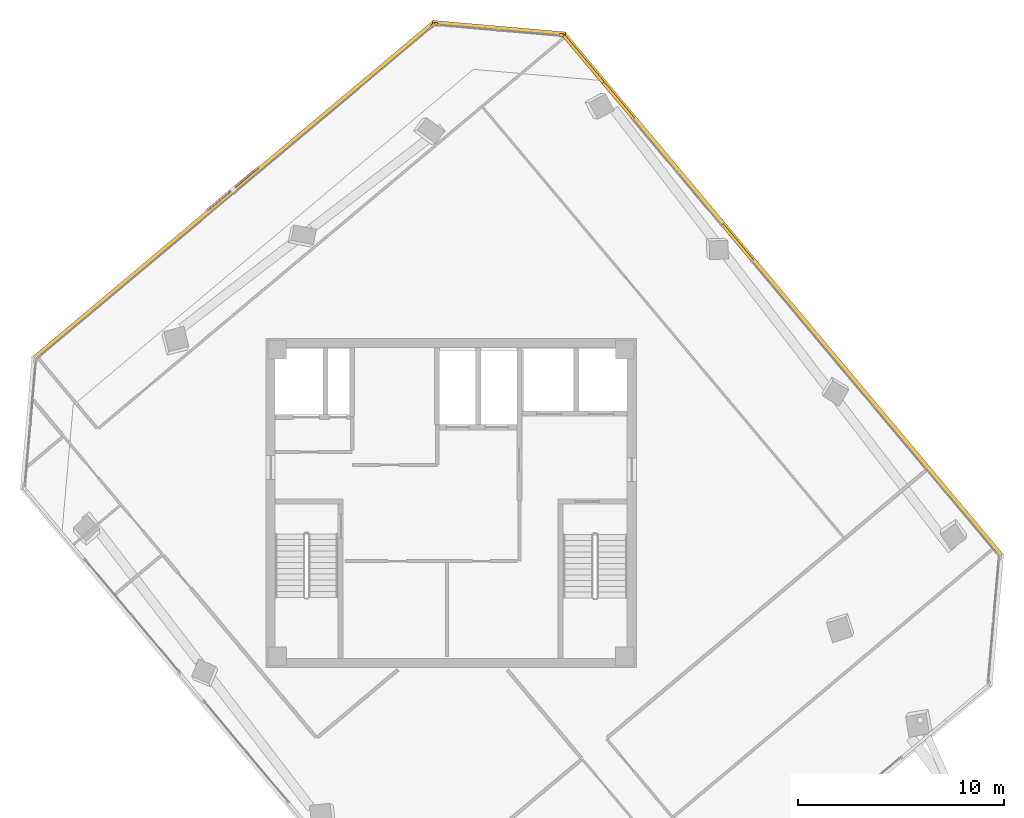
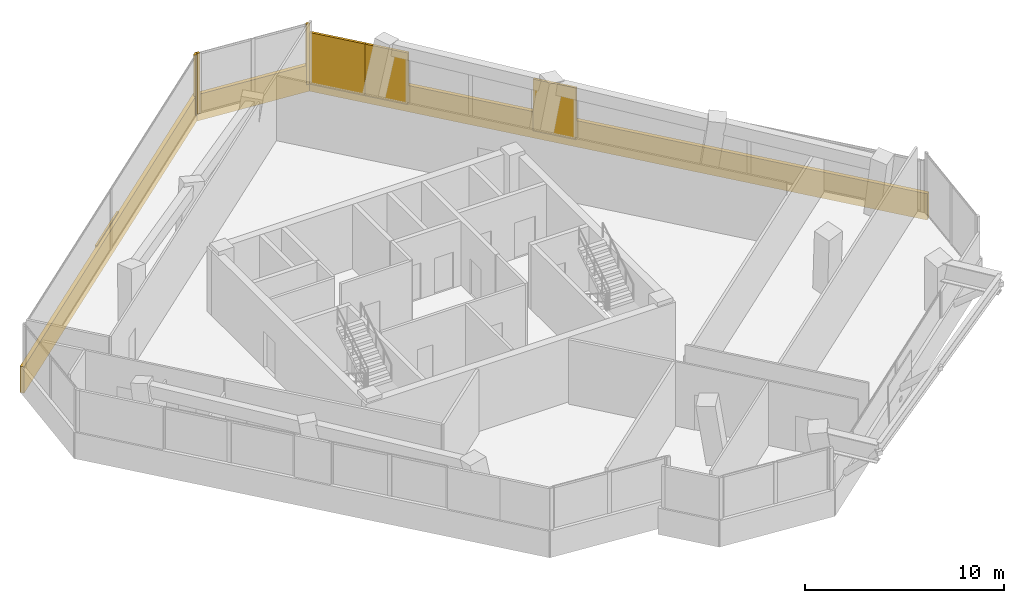
# One storey, part 17 of 17: 9 coverings, 1 shading device.
"""IFC4 building model written with IfcOpenShell, lengths in metres."""

import ifcopenshell
import ifcopenshell.guid

model = None  # the IFC model being written
_history = None  # IfcOwnerHistory: only IFC2X3 demands one
_inside = {}  # id of a spatial element -> (the spatial element, [elements in it])
_under = {}  # id of a project, library or spatial element -> (it, [spatial elements below it])
_declared = {}  # id of a project -> (the project, [libraries it declares])
_typed = {}  # id of a type object -> (the type object, [elements of that type])
_made_of = {}  # id of a material, layer set ... -> (it, [elements and type objects made of it])


def new_model(schema):
    """Start an empty IFC model of exactly this schema.

    Asked for "IFC4X3", IfcOpenShell would pick the latest addendum, in which some entities
    have other attributes; the version numbers below select the first issue.
    IFC2X3 requires an IfcOwnerHistory on every rooted entity: one is made here for all.
    """
    global model, _history
    if schema == "IFC4X3":
        model = ifcopenshell.file(schema_version=(4, 3, 0, 0))
    else:
        model = ifcopenshell.file(schema=schema)
    _inside.clear()
    _under.clear()
    _declared.clear()
    _typed.clear()
    _made_of.clear()
    _history = None
    if model.schema == "IFC2X3":
        org = make("IfcOrganization", Name="unknown")
        user = make(
            "IfcPersonAndOrganization",
            ThePerson=make("IfcPerson", FamilyName="unknown"),
            TheOrganization=org,
        )
        app = make(
            "IfcApplication",
            ApplicationDeveloper=org,
            Version="unknown",
            ApplicationFullName="unknown",
            ApplicationIdentifier="unknown",
        )
        _history = make(
            "IfcOwnerHistory",
            OwningUser=user,
            OwningApplication=app,
            ChangeAction="ADDED",
            CreationDate=0,
        )
    return model


def make(cls, **values):
    """One entity of the class cls with the attributes given. An attribute that is None is left unset."""
    return model.create_entity(
        cls, **{name: value for name, value in values.items() if value is not None}
    )


def rooted(cls, **values):
    """An entity with a GlobalId (a new one), such as an element, a storey or a relation."""
    return make(cls, GlobalId=ifcopenshell.guid.new(), OwnerHistory=_history, **values)


def si_unit(unit_type, name, prefix=None):
    """IfcSIUnit, for example si_unit("LENGTHUNIT", "METRE", prefix="MILLI")."""
    return make("IfcSIUnit", UnitType=unit_type, Prefix=prefix, Name=name)


def assignment(units):
    """IfcUnitAssignment: the units of a project."""
    return None if units is None else make("IfcUnitAssignment", Units=units)


def point(xyz):
    """IfcCartesianPoint."""
    return None if xyz is None else make("IfcCartesianPoint", Coordinates=xyz)


def direction(xyz):
    """IfcDirection."""
    return None if xyz is None else make("IfcDirection", DirectionRatios=xyz)


def frame(location, z_axis=None, x_axis=None):
    """IfcAxis2Placement3D, a coordinate frame: its origin and axes. An axis left out is left unset."""
    return make(
        "IfcAxis2Placement3D",
        Location=point(location),
        Axis=direction(z_axis),
        RefDirection=direction(x_axis),
    )


def frame_2d(location, x_axis=None):
    """IfcAxis2Placement2D, a coordinate frame in the plane: its origin and x axis."""
    return make(
        "IfcAxis2Placement2D", Location=point(location), RefDirection=direction(x_axis)
    )


def origin():
    """The frame at (0, 0, 0) with its axes left unset."""
    return frame((0.0, 0.0, 0.0))


def origin_2d():
    """The frame at (0, 0) in the plane with its x axis left unset."""
    return frame_2d((0.0, 0.0))


def place(relative_to, where):
    """IfcLocalPlacement: puts the frame where relative to a parent placement (None: the world)."""
    return make(
        "IfcLocalPlacement", PlacementRelTo=relative_to, RelativePlacement=where
    )


def context(
    kind, dimensions, precision=None, world=None, true_north=None, identifier=None
):
    """IfcGeometricRepresentationContext, for example the 3D "Model" context."""
    return make(
        "IfcGeometricRepresentationContext",
        ContextIdentifier=identifier,
        ContextType=kind,
        CoordinateSpaceDimension=dimensions,
        Precision=precision,
        WorldCoordinateSystem=world,
        TrueNorth=true_north,
    )


def subcontext(parent, identifier, kind, view, scale=None):
    """IfcGeometricRepresentationSubContext, for example "Body" below "Model"."""
    return make(
        "IfcGeometricRepresentationSubContext",
        ContextIdentifier=identifier,
        ContextType=kind,
        ParentContext=parent,
        TargetScale=scale,
        TargetView=view,
    )


def project(units=None, contexts=None):
    """IfcProject with its units and contexts."""
    return rooted(
        "IfcProject",
        Name="project",
        RepresentationContexts=contexts,
        UnitsInContext=assignment(units),
    )


def spatial(cls, under=None, at=None, **own):
    """A site, building, storey or space (cls), placed at a placement, below another one or the project."""
    s = rooted(cls, ObjectPlacement=at, **own)
    if under is not None:
        _under.setdefault(under.id(), (under, []))[1].append(s)
    return s


def profile(cls, at=None, kind="AREA", **sizes):
    """A parametric profile (cls). Its sizes go by their IFC names, for example OverallWidth=200.0."""
    return make(cls, ProfileType=kind, Position=at, **sizes)


def rectangle(**sizes):
    """IfcRectangleProfileDef."""
    return profile("IfcRectangleProfileDef", **sizes)


def extrude(swept, where, along, depth):
    """IfcExtrudedAreaSolid: the profile swept, set in the frame where, extruded along a direction by depth."""
    return make(
        "IfcExtrudedAreaSolid",
        SweptArea=swept,
        Position=where,
        ExtrudedDirection=direction(along),
        Depth=depth,
    )


def shape(context_of_items, identifier, shape_type, items):
    """IfcShapeRepresentation: the items that make up one representation, for example the "Body"."""
    return make(
        "IfcShapeRepresentation",
        ContextOfItems=context_of_items,
        RepresentationIdentifier=identifier,
        RepresentationType=shape_type,
        Items=items,
    )


def source(mapping_origin, context_of_items, identifier, shape_type, items):
    """IfcRepresentationMap: a shape defined once, which mapped items show again and again."""
    return make(
        "IfcRepresentationMap",
        MappingOrigin=mapping_origin,
        MappedRepresentation=shape(context_of_items, identifier, shape_type, items),
    )


def transform(
    local_origin,
    x_axis=None,
    y_axis=None,
    z_axis=None,
    scale=None,
    scale2=None,
    scale3=None,
    uniform=True,
):
    """IfcCartesianTransformationOperator3D, or its non-uniform kind. x_axis, y_axis, z_axis: its Axis1, 2, 3."""
    if uniform:
        return make(
            "IfcCartesianTransformationOperator3D",
            Axis1=direction(x_axis),
            Axis2=direction(y_axis),
            LocalOrigin=point(local_origin),
            Scale=scale,
            Axis3=direction(z_axis),
        )
    return make(
        "IfcCartesianTransformationOperator3DnonUniform",
        Axis1=direction(x_axis),
        Axis2=direction(y_axis),
        LocalOrigin=point(local_origin),
        Scale=scale,
        Axis3=direction(z_axis),
        Scale2=scale2,
        Scale3=scale3,
    )


def mapped(mapping_source, mapping_target):
    """IfcMappedItem: shows the shape of a source again, moved by a transform."""
    return make(
        "IfcMappedItem", MappingSource=mapping_source, MappingTarget=mapping_target
    )


def material(Name=None, Category=None):
    """IfcMaterial."""
    return make("IfcMaterial", Name=Name, Category=Category)


def layer(
    of_material, thickness, ventilated=None, Name=None, Category=None, Priority=None
):
    """IfcMaterialLayer: one layer of a wall or slab, of a material (None: an air gap)."""
    return make(
        "IfcMaterialLayer",
        Material=of_material,
        LayerThickness=thickness,
        IsVentilated=ventilated,
        Name=Name,
        Category=Category,
        Priority=Priority,
    )


def layer_set(layers, Name=None):
    """IfcMaterialLayerSet."""
    return make("IfcMaterialLayerSet", MaterialLayers=layers, LayerSetName=Name)


def made_of(thing, what):
    """Note that an element or type object is made of a material, layer set ...; save() writes the relation."""
    if what is not None:
        _made_of.setdefault(what.id(), (what, []))[1].append(thing)
    return thing


def type_object(cls, material=None, **own):
    """A type object (cls), such as IfcWallType, which elements share."""
    return made_of(rooted(cls, **own), material)


def element(
    cls,
    number,
    at=None,
    inside=None,
    cuts=None,
    type_object=None,
    material=None,
    context=None,
    identifier="Body",
    shape_type=None,
    held_by="IfcProductDefinitionShape",
    body=None,
    shapes=None,
    **own,
):
    """One element of the class cls, such as IfcWall. Its Tag is "e" and its number.

    at: its placement. inside: the storey or other place that contains it. cuts: it is an
    opening in that element (IfcRelVoidsElement). A single representation is given by context,
    identifier, shape_type and body (its items); several are given by shapes. held_by: the class
    of the entity that holds the representations. save() writes the other relations.
    """
    e = rooted(cls, Tag="e%d" % number, ObjectPlacement=at, **own)
    if body is not None:
        shapes = [shape(context, identifier, shape_type, body)]
    if shapes is not None:
        e.Representation = make(held_by, Representations=shapes)
    if inside is not None:
        _inside.setdefault(inside.id(), (inside, []))[1].append(e)
    if cuts is not None:
        rooted(
            "IfcRelVoidsElement", RelatingBuildingElement=cuts, RelatedOpeningElement=e
        )
    if type_object is not None:
        _typed.setdefault(type_object.id(), (type_object, []))[1].append(e)
    return made_of(e, material)


def aggregate(whole, parts):
    """IfcRelAggregates: a whole, such as a stair, and the parts it consists of."""
    return rooted("IfcRelAggregates", RelatingObject=whole, RelatedObjects=parts)


def save(model, path):
    """Write the relations noted so far, then the file.

    IfcRelAggregates (storeys below a building ...), IfcRelContainedInSpatialStructure (elements
    in a storey), IfcRelDefinesByType, IfcRelAssociatesMaterial and IfcRelDeclares: one each for
    every whole, place, type object, material and project.
    """
    for whole, parts in _under.values():
        aggregate(whole, parts)
    for where, things in _inside.values():
        rooted(
            "IfcRelContainedInSpatialStructure",
            RelatedElements=things,
            RelatingStructure=where,
        )
    for kind, things in _typed.values():
        rooted("IfcRelDefinesByType", RelatedObjects=things, RelatingType=kind)
    for what, things in _made_of.values():
        rooted("IfcRelAssociatesMaterial", RelatedObjects=things, RelatingMaterial=what)
    for by, libraries in _declared.values():
        rooted("IfcRelDeclares", RelatingContext=by, RelatedDefinitions=libraries)
    model.write(path)


model = new_model("IFC4")

# Units and contexts
model_context = context("Model", 3, precision=1e-05, world=origin(), true_north=direction((0.0, 1.0)))
body_context = subcontext(model_context, "Body", "Model", "MODEL_VIEW")
ifc_project = project(units=[si_unit("LENGTHUNIT", "METRE"), si_unit("AREAUNIT", "SQUARE_METRE"), si_unit("VOLUMEUNIT", "CUBIC_METRE"), si_unit("PLANEANGLEUNIT", "RADIAN"), si_unit("MASSUNIT", "GRAM", prefix="KILO")], contexts=[model_context])

# Site, building, storey
site_placement = place(None, origin())
site = spatial("IfcSite", under=ifc_project, at=site_placement, CompositionType="ELEMENT")
building_placement = place(site_placement, origin())
building = spatial("IfcBuilding", under=site, at=building_placement, Name="Torre Montelarca", CompositionType="ELEMENT")
storey_placement = place(building_placement, frame((0.0, 0.0, 275.199951171875)))
storey = spatial("IfcBuildingStorey", under=building, at=storey_placement, Name="L62", CompositionType="ELEMENT", Elevation=275.199951171875)

# Coverings
ifc_material_1 = material(Name="Bush-hammered warm white precast concrete C45/55", Category="concrete")
ifc_layer_1 = layer(ifc_material_1, 0.139892578125, Name="Bush-hammered warm white precast concrete C45/55", Category="concrete")
ifc_layer_set_1 = layer_set([ifc_layer_1], Name="Bush-hammered warm white precast concrete C45/55")
covering_type = type_object("IfcCoveringType", Name="COV-TRAY-CLAD", PredefinedType="CLADDING", material=ifc_layer_set_1)
shared_shape_1 = source(origin(), body_context, "Body", "SweptSolid", [
    extrude(rectangle(XDim=6.48388671875, YDim=0.219970703125, at=origin_2d()), origin(), (0.0, 0.0, 1.0), 1.6201171875),
])
covering_1_placement = place(storey_placement, frame((20.32421875, 55.070556640625, -0.449951171875), z_axis=(0.0, 0.0, 1.0), x_axis=(-0.996195458631, 0.087147049306, 0.0)))
element("IfcCovering", 1, at=covering_1_placement, inside=storey, type_object=covering_type, Name="L62 Architectural White Spandrel Tray Band TRYBOT-09", PredefinedType="CLADDING", context=body_context, shape_type="MappedRepresentation", body=[
    mapped(shared_shape_1, transform((0.0, 0.0, 0.0), scale=1.0)),
])
shared_shape_2 = source(origin(), body_context, "Body", "SweptSolid", [
    extrude(rectangle(XDim=25.52001953125, YDim=0.219970703125, at=origin_2d()), origin(), (0.0, 0.0, 1.0), 1.6201171875),
])
covering_2_placement = place(storey_placement, frame((7.447509765625, 47.19140625, -0.449951171875), z_axis=(0.0, 0.0, 1.0), x_axis=(-0.766044443119, -0.642787609687, 0.0)))
element("IfcCovering", 2, at=covering_2_placement, inside=storey, type_object=covering_type, Name="L62 Architectural White Spandrel Tray Band TRYBOT-10", PredefinedType="CLADDING", context=body_context, shape_type="MappedRepresentation", body=[
    mapped(shared_shape_2, transform((0.0, 0.0, 0.0), scale=1.0)),
])

# Shading device
ifc_material_2 = material(Name="Architectural perforated terracotta ceramic", Category="masonry")
ifc_layer_2 = layer(ifc_material_2, 0.080078125, Name="Architectural perforated terracotta ceramic", Category="masonry")
ifc_layer_set_2 = layer_set([ifc_layer_2], Name="Architectural perforated terracotta ceramic")
shading_device_type = type_object("IfcShadingDeviceType", Name="SHD-JALOUSIE-1", PredefinedType="JALOUSIE", material=ifc_layer_set_2)
shared_shape_3 = source(origin(), body_context, "Body", "SweptSolid", [
    extrude(rectangle(XDim=3.199951171875, YDim=0.10009765625, at=origin_2d()), origin(), (0.0, 0.0, 1.0), 1.25),
])
shading_device_placement = place(storey_placement, frame((7.376708984375, 47.275634765625, -0.0048828125), z_axis=(0.0, 0.0, 1.0), x_axis=(-0.766044443119, -0.642787609687, 0.0)))
element("IfcShadingDevice", 3, at=shading_device_placement, inside=storey, type_object=shading_device_type, Name="L62 Facade Solar Shading Device E10", PredefinedType="JALOUSIE", context=body_context, shape_type="MappedRepresentation", body=[
    mapped(shared_shape_3, transform((0.0, 0.0, 0.0), scale=1.0)),
])

# Coverings
shared_shape_4 = source(origin(), body_context, "Body", "SweptSolid", [
    extrude(rectangle(XDim=0.199951171875, YDim=0.139892578125, at=origin_2d()), origin(), (0.0, 0.0, 1.0), 3.719970703125),
])
for number, where, z_axis, x_axis, name in (
    (4, (23.37353515625, 54.743408203125, 0.0), (0.0, 0.0, 1.0), (-0.996194393855, 0.087159220123, 0.0), "L62 Architectural Column Pier Cladding E09-1"),
    (5, (17.2646484375, 55.278076171875, 0.0), (0.0, 0.0, 1.0), (-0.996194393855, 0.087159220123, 0.0), "L62 Architectural Column Pier Cladding E09-2"),
    (6, (17.126220703125, 55.234375, 0.0), (0.0, 0.0, 1.0), (-0.766043321242, -0.642788946685, 0.0), "L62 Architectural Column Pier Cladding E10-1"),
):
    element("IfcCovering", number, at=place(storey_placement, frame(where, z_axis=z_axis, x_axis=x_axis)), inside=storey, type_object=covering_type, Name=name, PredefinedType="CLADDING", context=body_context, shape_type="MappedRepresentation", body=[
        mapped(shared_shape_4, transform((0.0, 0.0, 0.0), scale=1.0)),
    ])
shared_shape_5 = source(origin(), body_context, "Body", "SweptSolid", [
    extrude(rectangle(XDim=33.219970703125, YDim=0.219970703125, at=origin_2d()), origin(), (0.0, 0.0, 1.0), 1.6201171875),
])
covering_3_placement = place(storey_placement, frame((34.11181640625, 42.125732421875, -0.449951171875), z_axis=(0.0, 0.0, 1.0), x_axis=(-0.642786272686, 0.766045564994, 0.0)))
element("IfcCovering", 7, at=covering_3_placement, inside=storey, type_object=covering_type, Name="L62 Architectural White Spandrel Tray Band TRYBOT-08", PredefinedType="CLADDING", context=body_context, shape_type="MappedRepresentation", body=[
    mapped(shared_shape_5, transform((0.0, 0.0, 0.0), scale=1.0)),
])
shared_shape_6 = source(origin(), body_context, "Body", "SweptSolid", [
    extrude(rectangle(XDim=2.2919921875, YDim=0.139892578125, at=origin_2d()), origin(), (0.0, 0.0, 1.0), 3.175048828125),
])
covering_4_placement = place(storey_placement, frame((31.911376953125, 44.65478515625, 0.0), z_axis=(0.0, 0.0, 1.0), x_axis=(-0.642787609687, 0.766044443119, 0.0)))
element("IfcCovering", 8, at=covering_4_placement, inside=storey, type_object=covering_type, Name="L62 Architectural Column Pier Cladding E08-2", PredefinedType="CLADDING", context=body_context, shape_type="MappedRepresentation", body=[
    mapped(shared_shape_6, transform((0.0, 0.0, 0.0), scale=1.0)),
])
shared_shape_7 = source(origin(), body_context, "Body", "SweptSolid", [
    extrude(rectangle(XDim=2.29638671875, YDim=0.139892578125, at=origin_2d()), origin(), (0.0, 0.0, 1.0), 3.175048828125),
])
covering_5_placement = place(storey_placement, frame((26.13037109375, 51.54443359375, 0.0), z_axis=(0.0, 0.0, 1.0), x_axis=(-0.642787609687, 0.766044443119, 0.0)))
element("IfcCovering", 9, at=covering_5_placement, inside=storey, type_object=covering_type, Name="L62 Architectural Column Pier Cladding E08-3", PredefinedType="CLADDING", context=body_context, shape_type="MappedRepresentation", body=[
    mapped(shared_shape_7, transform((0.0, 0.0, 0.0), scale=1.0)),
])
shared_shape_8 = source(origin(), body_context, "Body", "SweptSolid", [
    extrude(rectangle(XDim=3.140380859375, YDim=0.139892578125, at=origin_2d()), origin(), (0.0, 0.0, 1.0), 3.175048828125),
])
covering_6_placement = place(storey_placement, frame((24.447265625, 53.55029296875, 0.0), z_axis=(0.0, 0.0, 1.0), x_axis=(-0.642787609687, 0.766044443119, 0.0)))
element("IfcCovering", 10, at=covering_6_placement, inside=storey, type_object=covering_type, Name="L62 Architectural Column Pier Cladding E08-4", PredefinedType="CLADDING", context=body_context, shape_type="MappedRepresentation", body=[
    mapped(shared_shape_8, transform((0.0, 0.0, 0.0), scale=1.0)),
])

save(model, "model.ifc")
